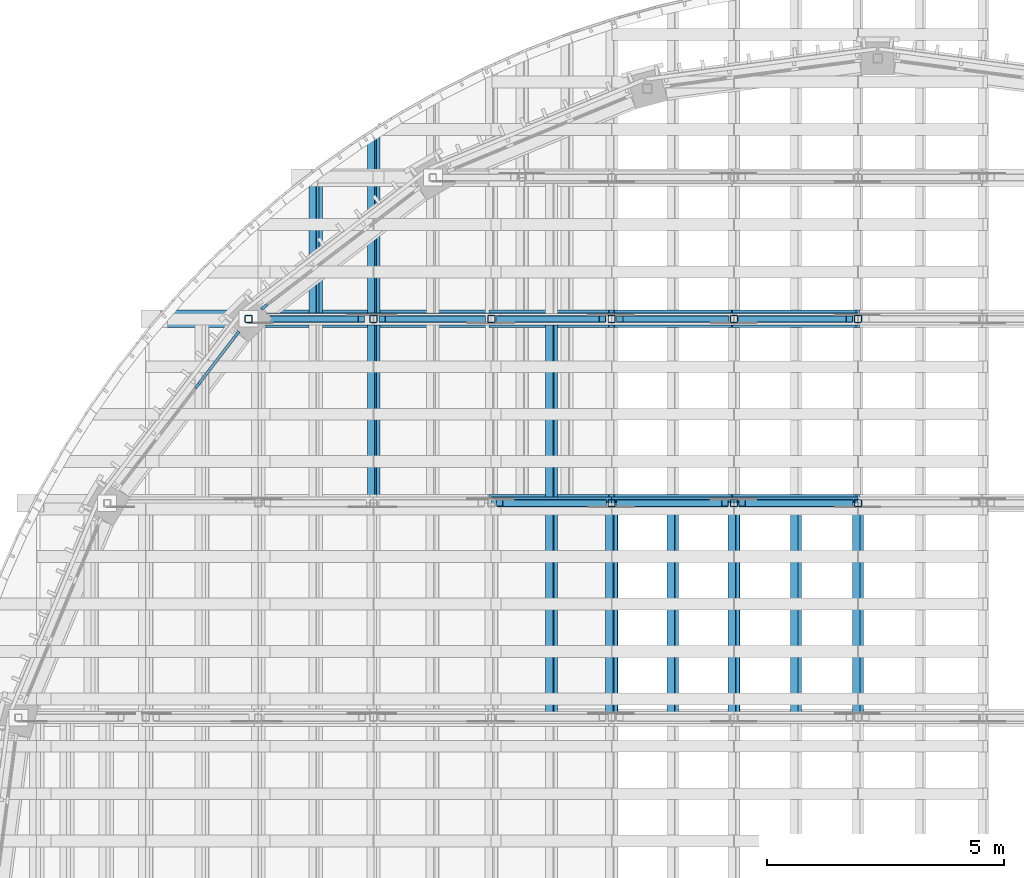
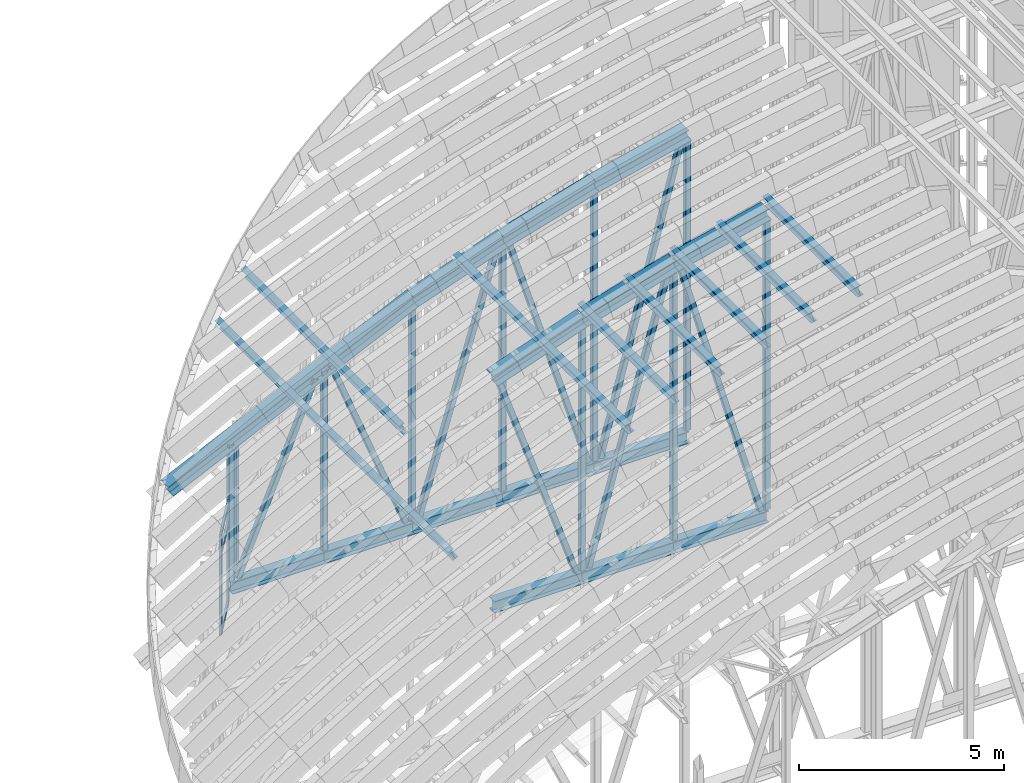
# One storey, part 22 of 105: 47 members, 2 elements without a shape of their own.
"""IFC4 building model written with IfcOpenShell, lengths in metres."""

from ifc_helpers import new_model, si_unit, direction, frame, origin, origin_2d, place, context, subcontext, project, spatial, rectangle, hollow_rectangle, i_section, extrude, material, layer, layer_set, material_profile, profile_set, type_object, element, aggregate, save


model = new_model("IFC4")

# Units and contexts
model_context = context("Model", 3, precision=1e-05, world=origin(), true_north=direction((0.0, 1.0)))
body_context = subcontext(model_context, "Body", "Model", "MODEL_VIEW")
ifc_project = project(units=[si_unit("LENGTHUNIT", "METRE"), si_unit("AREAUNIT", "SQUARE_METRE"), si_unit("VOLUMEUNIT", "CUBIC_METRE"), si_unit("PLANEANGLEUNIT", "RADIAN"), si_unit("MASSUNIT", "GRAM", prefix="KILO")], contexts=[model_context])

# Site, building, storey
site_placement = place(None, origin())
site = spatial("IfcSite", under=ifc_project, at=site_placement, CompositionType="ELEMENT")
building_placement = place(site_placement, origin())
building = spatial("IfcBuilding", under=site, at=building_placement, Name="Wasatch Bagh Community Centre", CompositionType="ELEMENT")
storey_placement = place(building_placement, frame((0.0, 0.0, 16.800048828125)))
storey = spatial("IfcBuildingStorey", under=building, at=storey_placement, Name="L04", CompositionType="ELEMENT", Elevation=16.800048828125)

# Members
ifc_material_1 = material(Name="ASTM A500 Grade C steel", Category="steel")
ifc_material_profile_1 = material_profile(ifc_material_1, hollow_rectangle(XDim=0.15234375, YDim=0.15234375, WallThickness=0.0087890625, InnerFilletRadius=0.0087890625, OuterFilletRadius=0.017822265625, at=origin_2d()), Name="HSS6x6x3/8")
ifc_profile_set_1 = profile_set([ifc_material_profile_1], Name="ASTM A500 Grade C steel")
member_type_1 = type_object("IfcMemberType", Name="HSS6x6x3/8 brace", PredefinedType="BRACE", material=ifc_profile_set_1)
member_1_placement = place(storey_placement, frame((30.208984375, 74.375, 8.095458984375), z_axis=(-0.320543512127, 0.0, 0.947233792067), x_axis=(0.0, -1.0, 0.0)))
element("IfcMember", 1, at=member_1_placement, inside=storey, type_object=member_type_1, Name="MH.TN2.WB04", PredefinedType="BRACE", context=body_context, shape_type="SweptSolid", body=[
    extrude(hollow_rectangle(XDim=0.15234375, YDim=0.15234375, WallThickness=0.0087890625, InnerFilletRadius=0.0087890625, OuterFilletRadius=0.017822265625, at=origin_2d()), origin(), (0.0, 0.0, 1.0), 6.783203125),
])
member_2_placement = place(storey_placement, frame((30.5673828125, 74.375, 8.091552734375), z_axis=(0.269835842543, 0.0, 0.962906339204), x_axis=(0.0, 1.0, 0.0)))
element("IfcMember", 2, at=member_2_placement, inside=storey, type_object=member_type_1, Name="MH.TN2.WB05", PredefinedType="BRACE", context=body_context, shape_type="SweptSolid", body=[
    extrude(hollow_rectangle(XDim=0.15234375, YDim=0.15234375, WallThickness=0.0087890625, InnerFilletRadius=0.0087890625, OuterFilletRadius=0.017822265625, at=origin_2d()), origin(), (0.0, 0.0, 1.0), 8.223388671875),
])
member_3_placement = place(storey_placement, frame((35.412353515625, 74.375, 8.091796875), z_axis=(-0.271729705992, 0.0, 0.962373610861), x_axis=(0.0, -1.0, 0.0)))
element("IfcMember", 3, at=member_3_placement, inside=storey, type_object=member_type_1, Name="MH.TN2.WB06", PredefinedType="BRACE", context=body_context, shape_type="SweptSolid", body=[
    extrude(hollow_rectangle(XDim=0.15234375, YDim=0.15234375, WallThickness=0.0087890625, InnerFilletRadius=0.0087890625, OuterFilletRadius=0.017822265625, at=origin_2d()), origin(), (0.0, 0.0, 1.0), 8.368408203125),
])
member_4_placement = place(storey_placement, frame((22.947998046875, 78.25830078125, 8.1005859375), z_axis=(0.388355748459, 0.0, 0.921509529326), x_axis=(0.0, 1.0, 0.0)))
element("IfcMember", 4, at=member_4_placement, inside=storey, type_object=member_type_1, Name="MH.TN3.WB01", PredefinedType="BRACE", context=body_context, shape_type="SweptSolid", body=[
    extrude(hollow_rectangle(XDim=0.15234375, YDim=0.15234375, WallThickness=0.0087890625, InnerFilletRadius=0.0087890625, OuterFilletRadius=0.017822265625, at=origin_2d()), origin(), (0.0, 0.0, 1.0), 5.58935546875),
])
member_5_placement = place(storey_placement, frame((27.66162109375, 78.25830078125, 8.0986328125), z_axis=(-0.362328609595, 0.0, 0.932050416377), x_axis=(0.0, -1.0, 0.0)))
element("IfcMember", 5, at=member_5_placement, inside=storey, type_object=member_type_1, Name="MH.TN3.WB02", PredefinedType="BRACE", context=body_context, shape_type="SweptSolid", body=[
    extrude(hollow_rectangle(XDim=0.15234375, YDim=0.15234375, WallThickness=0.0087890625, InnerFilletRadius=0.0087890625, OuterFilletRadius=0.017822265625, at=origin_2d()), origin(), (0.0, 0.0, 1.0), 5.808349609375),
])
member_6_placement = place(storey_placement, frame((28.037353515625, 78.25830078125, 8.093017578125), z_axis=(0.289719392706, 0.0, 0.957111630632), x_axis=(0.0, 1.0, 0.0)))
element("IfcMember", 6, at=member_6_placement, inside=storey, type_object=member_type_1, Name="MH.TN3.WB03", PredefinedType="BRACE", context=body_context, shape_type="SweptSolid", body=[
    extrude(hollow_rectangle(XDim=0.15234375, YDim=0.15234375, WallThickness=0.0087890625, InnerFilletRadius=0.0087890625, OuterFilletRadius=0.017822265625, at=origin_2d()), origin(), (0.0, 0.0, 1.0), 7.45849609375),
])
member_7_placement = place(storey_placement, frame((32.79443359375, 78.25830078125, 8.09326171875), z_axis=(-0.291927052679, 0.0, 0.956440586714), x_axis=(0.0, -1.0, 0.0)))
element("IfcMember", 7, at=member_7_placement, inside=storey, type_object=member_type_1, Name="MH.TN3.WB04", PredefinedType="BRACE", context=body_context, shape_type="SweptSolid", body=[
    extrude(hollow_rectangle(XDim=0.15234375, YDim=0.15234375, WallThickness=0.0087890625, InnerFilletRadius=0.0087890625, OuterFilletRadius=0.017822265625, at=origin_2d()), origin(), (0.0, 0.0, 1.0), 7.6396484375),
])
member_8_placement = place(storey_placement, frame((33.14111328125, 78.25830078125, 8.090576171875), z_axis=(0.255877402939, 0.0, 0.966709239981), x_axis=(0.0, 1.0, 0.0)))
element("IfcMember", 8, at=member_8_placement, inside=storey, type_object=member_type_1, Name="MH.TN3.WB05", PredefinedType="BRACE", context=body_context, shape_type="SweptSolid", body=[
    extrude(hollow_rectangle(XDim=0.15234375, YDim=0.15234375, WallThickness=0.0087890625, InnerFilletRadius=0.0087890625, OuterFilletRadius=0.017822265625, at=origin_2d()), origin(), (0.0, 0.0, 1.0), 8.854248046875),
])
ifc_material_profile_2 = material_profile(ifc_material_1, hollow_rectangle(XDim=0.15234375, YDim=0.15234375, WallThickness=0.0087890625, InnerFilletRadius=0.0087890625, OuterFilletRadius=0.017822265625, at=origin_2d()), Name="HSS6x6x3/8")
ifc_profile_set_2 = profile_set([ifc_material_profile_2], Name="ASTM A500 Grade C steel")
member_type_2 = type_object("IfcMemberType", Name="HSS6x6x3/8 post", PredefinedType="POST", material=ifc_profile_set_2)
member_9_placement = place(storey_placement, frame((30.39501953125, 74.375, 8.070556640625), z_axis=(0.0, 0.0, 1.0), x_axis=(1.0, 0.0, 0.0)))
element("IfcMember", 9, at=member_9_placement, inside=storey, type_object=member_type_2, Name="MH.TN2.PS05", PredefinedType="POST", context=body_context, shape_type="SweptSolid", body=[
    extrude(hollow_rectangle(XDim=0.15234375, YDim=0.15234375, WallThickness=0.0087890625, InnerFilletRadius=0.0087890625, OuterFilletRadius=0.017822265625, at=origin_2d()), origin(), (0.0, 0.0, 1.0), 7.2509765625),
])
member_10_placement = place(storey_placement, frame((32.972412109375, 74.375, 8.070556640625), z_axis=(0.0, 0.0, 1.0), x_axis=(1.0, 0.0, 0.0)))
element("IfcMember", 10, at=member_10_placement, inside=storey, type_object=member_type_2, Name="MH.TN2.PS06", PredefinedType="POST", context=body_context, shape_type="SweptSolid", body=[
    extrude(hollow_rectangle(XDim=0.15234375, YDim=0.15234375, WallThickness=0.0087890625, InnerFilletRadius=0.0087890625, OuterFilletRadius=0.017822265625, at=origin_2d()), origin(), (0.0, 0.0, 1.0), 8.013671875),
])
member_11_placement = place(storey_placement, frame((35.585205078125, 74.375, 8.070556640625), z_axis=(0.0, 0.0, 1.0), x_axis=(1.0, 0.0, 0.0)))
element("IfcMember", 11, at=member_11_placement, inside=storey, type_object=member_type_2, Name="MH.TN2.PS07", PredefinedType="POST", context=body_context, shape_type="SweptSolid", body=[
    extrude(hollow_rectangle(XDim=0.15234375, YDim=0.15234375, WallThickness=0.0087890625, InnerFilletRadius=0.0087890625, OuterFilletRadius=0.017822265625, at=origin_2d()), origin(), (0.0, 0.0, 1.0), 8.64111328125),
])
member_12_placement = place(storey_placement, frame((22.74169921875, 78.25830078125, 8.070556640625), z_axis=(0.0, 0.0, 1.0), x_axis=(1.0, 0.0, 0.0)))
element("IfcMember", 12, at=member_12_placement, inside=storey, type_object=member_type_2, Name="MH.TN3.PS01", PredefinedType="POST", context=body_context, shape_type="SweptSolid", body=[
    extrude(hollow_rectangle(XDim=0.15234375, YDim=0.15234375, WallThickness=0.0087890625, InnerFilletRadius=0.0087890625, OuterFilletRadius=0.017822265625, at=origin_2d()), origin(), (0.0, 0.0, 1.0), 4.0595703125),
])
member_13_placement = place(storey_placement, frame((25.373779296875, 78.25830078125, 8.070556640625), z_axis=(0.0, 0.0, 1.0), x_axis=(1.0, 0.0, 0.0)))
element("IfcMember", 13, at=member_13_placement, inside=storey, type_object=member_type_2, Name="MH.TN3.PS02", PredefinedType="POST", context=body_context, shape_type="SweptSolid", body=[
    extrude(hollow_rectangle(XDim=0.15234375, YDim=0.15234375, WallThickness=0.0087890625, InnerFilletRadius=0.0087890625, OuterFilletRadius=0.017822265625, at=origin_2d()), origin(), (0.0, 0.0, 1.0), 5.32763671875),
])
member_14_placement = place(storey_placement, frame((27.85986328125, 78.25830078125, 8.070556640625), z_axis=(0.0, 0.0, 1.0), x_axis=(1.0, 0.0, 0.0)))
element("IfcMember", 14, at=member_14_placement, inside=storey, type_object=member_type_2, Name="MH.TN3.PS03", PredefinedType="POST", context=body_context, shape_type="SweptSolid", body=[
    extrude(hollow_rectangle(XDim=0.15234375, YDim=0.15234375, WallThickness=0.0087890625, InnerFilletRadius=0.0087890625, OuterFilletRadius=0.017822265625, at=origin_2d()), origin(), (0.0, 0.0, 1.0), 6.35498046875),
])
member_15_placement = place(storey_placement, frame((30.39501953125, 78.25830078125, 8.070556640625), z_axis=(0.0, 0.0, 1.0), x_axis=(1.0, 0.0, 0.0)))
element("IfcMember", 15, at=member_15_placement, inside=storey, type_object=member_type_2, Name="MH.TN3.PS04", PredefinedType="POST", context=body_context, shape_type="SweptSolid", body=[
    extrude(hollow_rectangle(XDim=0.15234375, YDim=0.15234375, WallThickness=0.0087890625, InnerFilletRadius=0.0087890625, OuterFilletRadius=0.017822265625, at=origin_2d()), origin(), (0.0, 0.0, 1.0), 7.2509765625),
])
member_16_placement = place(storey_placement, frame((32.972412109375, 78.25830078125, 8.070556640625), z_axis=(0.0, 0.0, 1.0), x_axis=(1.0, 0.0, 0.0)))
element("IfcMember", 16, at=member_16_placement, inside=storey, type_object=member_type_2, Name="MH.TN3.PS05", PredefinedType="POST", context=body_context, shape_type="SweptSolid", body=[
    extrude(hollow_rectangle(XDim=0.15234375, YDim=0.15234375, WallThickness=0.0087890625, InnerFilletRadius=0.0087890625, OuterFilletRadius=0.017822265625, at=origin_2d()), origin(), (0.0, 0.0, 1.0), 8.013671875),
])
member_17_placement = place(storey_placement, frame((35.585205078125, 78.25830078125, 8.070556640625), z_axis=(0.0, 0.0, 1.0), x_axis=(1.0, 0.0, 0.0)))
element("IfcMember", 17, at=member_17_placement, inside=storey, type_object=member_type_2, Name="MH.TN3.PS06", PredefinedType="POST", context=body_context, shape_type="SweptSolid", body=[
    extrude(hollow_rectangle(XDim=0.15234375, YDim=0.15234375, WallThickness=0.0087890625, InnerFilletRadius=0.0087890625, OuterFilletRadius=0.017822265625, at=origin_2d()), origin(), (0.0, 0.0, 1.0), 8.64111328125),
])

# Curtain wall, member
ifc_material_2 = material(Name="Aluminium curtain wall frame with low-iron glass", Category="aluminium")
ifc_layer_1 = layer(ifc_material_2, 0.10009765625)
ifc_layer_set_1 = layer_set([ifc_layer_1], Name="Aluminium curtain wall frame with low-iron glass")
curtain_wall_type_1 = type_object("IfcCurtainWallType", Name="MH end screen curtain wall 4", PredefinedType="NOTDEFINED", material=ifc_layer_set_1)
curtain_wall_1_placement = place(storey_placement, origin())
curtain_wall_1 = element("IfcCurtainWall", 18, at=curtain_wall_1_placement, inside=storey, type_object=curtain_wall_type_1, Name="End screen 27", PredefinedType="NOTDEFINED")
ifc_material_3 = material(Name="Aluminium extrusion", Category="aluminium")
ifc_material_profile_3 = material_profile(ifc_material_3, rectangle(XDim=0.06005859375, YDim=0.159912109375, at=origin_2d()), Name="AL 60x160")
ifc_profile_set_3 = profile_set([ifc_material_profile_3], Name="Aluminium extrusion")
member_type_3 = type_object("IfcMemberType", Name="MH end screen mullion 60x160", PredefinedType="MULLION", material=ifc_profile_set_3)
member_18_placement = place(storey_placement, frame((23.072021484375, 78.51171875, 7.699951171875), z_axis=(0.0, 0.0, 1.0), x_axis=(0.608761429036, -0.79335334027, 0.0)))
member_18 = element("IfcMember", 19, at=member_18_placement, type_object=member_type_3, Name="MH-CW4 mullion 4", PredefinedType="MULLION", context=body_context, shape_type="SweptSolid", body=[
    extrude(rectangle(XDim=0.06005859375, YDim=0.159912109375, at=origin_2d()), origin(), (0.0, 0.0, 1.0), 4.800048828125),
])
aggregate(curtain_wall_1, [member_18])

# Curtain wall, members
ifc_layer_2 = layer(ifc_material_2, 0.10009765625)
ifc_layer_set_2 = layer_set([ifc_layer_2], Name="Aluminium curtain wall frame with low-iron glass")
curtain_wall_type_2 = type_object("IfcCurtainWallType", Name="MH end screen curtain wall 3", PredefinedType="NOTDEFINED", material=ifc_layer_set_2)
curtain_wall_2_placement = place(storey_placement, origin())
curtain_wall_2 = element("IfcCurtainWall", 20, at=curtain_wall_2_placement, inside=storey, type_object=curtain_wall_type_2, Name="End screen 28", PredefinedType="NOTDEFINED")
member_19_placement = place(storey_placement, frame((22.48828125, 77.927978515625, 7.699951171875), z_axis=(0.0, 0.0, 1.0), x_axis=(0.79335334027, -0.608761429036, 0.0)))
member_19 = element("IfcMember", 21, at=member_19_placement, type_object=member_type_3, Name="MH-CW3 mullion 1", PredefinedType="MULLION", context=body_context, shape_type="SweptSolid", body=[
    extrude(rectangle(XDim=0.06005859375, YDim=0.159912109375, at=origin_2d()), origin(), (0.0, 0.0, 1.0), 3.0),
])
member_20_placement = place(storey_placement, frame((21.670166015625, 76.861572265625, 7.699951171875), z_axis=(0.0, 0.0, 1.0), x_axis=(0.79335334027, -0.608761429036, 0.0)))
member_20 = element("IfcMember", 22, at=member_20_placement, type_object=member_type_3, Name="MH-CW3 mullion 2", PredefinedType="MULLION", context=body_context, shape_type="SweptSolid", body=[
    extrude(rectangle(XDim=0.06005859375, YDim=0.159912109375, at=origin_2d()), origin(), (0.0, 0.0, 1.0), 3.0),
])
ifc_material_profile_4 = material_profile(ifc_material_3, rectangle(XDim=0.06005859375, YDim=0.1201171875, at=origin_2d()), Name="AL 60x120")
ifc_profile_set_4 = profile_set([ifc_material_profile_4], Name="Aluminium extrusion")
member_type_4 = type_object("IfcMemberType", Name="MH end screen transom 60x120", PredefinedType="USERDEFINED", material=ifc_profile_set_4)
member_21_placement = place(storey_placement, frame((22.469970703125, 77.904052734375, 7.72998046875), z_axis=(-0.608846614125, -0.793287968186, 0.0), x_axis=(0.793287968186, -0.608846614125, 0.0)))
member_21 = element("IfcMember", 23, at=member_21_placement, type_object=member_type_4, Name="MH-CW3 transom 1.1", ObjectType="TRANSOM", PredefinedType="USERDEFINED", context=body_context, shape_type="SweptSolid", body=[
    extrude(rectangle(XDim=0.06005859375, YDim=0.1201171875, at=origin_2d()), origin(), (0.0, 0.0, 1.0), 1.283935546875),
])
member_22_placement = place(storey_placement, frame((22.469970703125, 77.904052734375, 10.099853515625), z_axis=(-0.608846614125, -0.793287968186, 0.0), x_axis=(0.793287968186, -0.608846614125, 0.0)))
member_22 = element("IfcMember", 24, at=member_22_placement, type_object=member_type_4, Name="MH-CW3 transom 1.2", ObjectType="TRANSOM", PredefinedType="USERDEFINED", context=body_context, shape_type="SweptSolid", body=[
    extrude(rectangle(XDim=0.06005859375, YDim=0.1201171875, at=origin_2d()), origin(), (0.0, 0.0, 1.0), 1.283935546875),
])
member_23_placement = place(storey_placement, frame((22.469970703125, 77.904052734375, 10.669921875), z_axis=(-0.608846614125, -0.793287968186, 0.0), x_axis=(0.793287968186, -0.608846614125, 0.0)))
member_23 = element("IfcMember", 25, at=member_23_placement, type_object=member_type_4, Name="MH-CW3 transom 1.3", ObjectType="TRANSOM", PredefinedType="USERDEFINED", context=body_context, shape_type="SweptSolid", body=[
    extrude(rectangle(XDim=0.06005859375, YDim=0.1201171875, at=origin_2d()), origin(), (0.0, 0.0, 1.0), 1.283935546875),
])
aggregate(curtain_wall_2, [member_19, member_20, member_21, member_22, member_23])

# Members
ifc_material_4 = material(Name="ASTM A992 Grade 50 steel", Category="steel")
ifc_material_profile_5 = material_profile(ifc_material_4, i_section(OverallWidth=0.164794921875, OverallDepth=0.309814453125, WebThickness=0.005859375, FlangeThickness=0.009765625, at=origin_2d()), Name="W12x26")
ifc_profile_set_5 = profile_set([ifc_material_profile_5], Name="ASTM A992 Grade 50 steel")
member_type_5 = type_object("IfcMemberType", Name="W12x26 purlin", PredefinedType="PURLIN", material=ifc_profile_set_5)
for number, where, z_axis, x_axis, name in (
    (26, (29.12744140625, 69.852783203125, 15.44580078125), (0.0, 1.0, 0.0), (-0.944194315577, 0.0, -0.329388971326), "MH.TN1-TN2.PU09"),
    (27, (30.39501953125, 69.852783203125, 15.887939453125), (0.0, 1.0, 0.0), (-0.944194315577, 0.0, -0.329388971326), "MH.TN1-TN2.PU10"),
    (28, (31.683837890625, 69.852783203125, 16.261474609375), (0.0, 1.0, 0.0), (-0.959937587317, 0.0, -0.280213897686), "MH.TN1-TN2.PU11"),
    (29, (32.972412109375, 69.852783203125, 16.6376953125), (0.0, 1.0, 0.0), (-0.959937587317, 0.0, -0.280213897686), "MH.TN1-TN2.PU12"),
    (30, (34.27880859375, 69.852783203125, 16.944580078125), (0.0, 1.0, 0.0), (-0.973121628566, 0.0, -0.23029176281), "MH.TN1-TN2.PU13"),
    (31, (35.585205078125, 69.852783203125, 17.25390625), (0.0, 1.0, 0.0), (-0.973121628566, 0.0, -0.23029176281), "MH.TN1-TN2.PU14"),
):
    element("IfcMember", number, at=place(storey_placement, frame(where, z_axis=z_axis, x_axis=x_axis)), inside=storey, type_object=member_type_5, Name=name, PredefinedType="PURLIN", context=body_context, shape_type="SweptSolid", body=[
        extrude(i_section(OverallWidth=0.164794921875, OverallDepth=0.309814453125, WebThickness=0.005859375, FlangeThickness=0.009765625, at=origin_2d()), origin(), (0.0, 0.0, 1.0), 4.522216796875),
    ])
member_24_placement = place(storey_placement, frame((29.12744140625, 74.375, 15.44580078125), z_axis=(0.0, 1.0, 0.0), x_axis=(-0.944194315577, 0.0, -0.329388971326)))
element("IfcMember", 32, at=member_24_placement, inside=storey, type_object=member_type_5, Name="MH.TN2-TN3.PU07", PredefinedType="PURLIN", context=body_context, shape_type="SweptSolid", body=[
    extrude(i_section(OverallWidth=0.164794921875, OverallDepth=0.309814453125, WebThickness=0.005859375, FlangeThickness=0.009765625, at=origin_2d()), origin(), (0.0, 0.0, 1.0), 3.88330078125),
])
member_25_placement = place(storey_placement, frame((24.15869140625, 69.852783203125, 13.4248046875), z_axis=(0.0, 1.0, 0.0), x_axis=(-0.905204669284, 0.0, -0.424975889559)))
element("IfcMember", 33, at=member_25_placement, inside=storey, type_object=member_type_5, Name="MH.TN3-TN4.PU01", PredefinedType="PURLIN", context=body_context, shape_type="SweptSolid", body=[
    extrude(i_section(OverallWidth=0.164794921875, OverallDepth=0.309814453125, WebThickness=0.005859375, FlangeThickness=0.009765625, at=origin_2d()), origin(), (0.0, 0.0, 1.0), 11.38525390625),
])
ifc_material_profile_6 = material_profile(ifc_material_4, i_section(OverallWidth=0.164794921875, OverallDepth=0.309814453125, WebThickness=0.005859375, FlangeThickness=0.009765625, at=origin_2d()), Name="W12x26")
ifc_profile_set_6 = profile_set([ifc_material_profile_6], Name="ASTM A992 Grade 50 steel")
member_type_6 = type_object("IfcMemberType", Name="W12x26 rafter", PredefinedType="RAFTER", material=ifc_profile_set_6)
member_26_placement = place(storey_placement, frame((25.379638671875, 82.107666015625, 13.994384765625), z_axis=(0.0, -1.0, 0.0), x_axis=(0.925933778961, 0.0, 0.377685897247)))
element("IfcMember", 34, at=member_26_placement, inside=storey, type_object=member_type_6, Name="MH.TN.RF01", PredefinedType="RAFTER", context=body_context, shape_type="SweptSolid", body=[
    extrude(i_section(OverallWidth=0.164794921875, OverallDepth=0.309814453125, WebThickness=0.005859375, FlangeThickness=0.009765625, at=origin_2d()), origin(), (0.0, 0.0, 1.0), 7.732666015625),
])
ifc_material_profile_7 = material_profile(ifc_material_4, i_section(OverallWidth=0.25390625, OverallDepth=0.355712890625, WebThickness=0.010498046875, FlangeThickness=0.018310546875, at=origin_2d()), Name="W14x68")
ifc_profile_set_7 = profile_set([ifc_material_profile_7], Name="ASTM A992 Grade 50 steel")
member_type_7 = type_object("IfcMemberType", Name="W14x68 chord", PredefinedType="CHORD", material=ifc_profile_set_7)
member_27_placement = place(storey_placement, frame((27.85986328125, 74.375, 7.892822265625), z_axis=(1.0, 0.0, 0.0), x_axis=(0.0, 1.0, 0.0)))
element("IfcMember", 35, at=member_27_placement, inside=storey, type_object=member_type_7, Name="MH.TN2.BC04", PredefinedType="CHORD", context=body_context, shape_type="SweptSolid", body=[
    extrude(i_section(OverallWidth=0.25390625, OverallDepth=0.355712890625, WebThickness=0.010498046875, FlangeThickness=0.018310546875, at=origin_2d()), origin(), (0.0, 0.0, 1.0), 2.53515625),
])
member_28_placement = place(storey_placement, frame((30.39501953125, 74.375, 7.892822265625), z_axis=(1.0, 0.0, 0.0), x_axis=(0.0, 1.0, 0.0)))
element("IfcMember", 36, at=member_28_placement, inside=storey, type_object=member_type_7, Name="MH.TN2.BC05", PredefinedType="CHORD", context=body_context, shape_type="SweptSolid", body=[
    extrude(i_section(OverallWidth=0.25390625, OverallDepth=0.355712890625, WebThickness=0.010498046875, FlangeThickness=0.018310546875, at=origin_2d()), origin(), (0.0, 0.0, 1.0), 2.577392578125),
])
member_29_placement = place(storey_placement, frame((32.972412109375, 74.375, 7.892822265625), z_axis=(1.0, 0.0, 0.0), x_axis=(0.0, 1.0, 0.0)))
element("IfcMember", 37, at=member_29_placement, inside=storey, type_object=member_type_7, Name="MH.TN2.BC06", PredefinedType="CHORD", context=body_context, shape_type="SweptSolid", body=[
    extrude(i_section(OverallWidth=0.25390625, OverallDepth=0.355712890625, WebThickness=0.010498046875, FlangeThickness=0.018310546875, at=origin_2d()), origin(), (0.0, 0.0, 1.0), 2.61279296875),
])
member_30_placement = place(storey_placement, frame((22.74169921875, 78.25830078125, 7.892822265625), z_axis=(1.0, 0.0, 0.0), x_axis=(0.0, 1.0, 0.0)))
element("IfcMember", 38, at=member_30_placement, inside=storey, type_object=member_type_7, Name="MH.TN3.BC01", PredefinedType="CHORD", context=body_context, shape_type="SweptSolid", body=[
    extrude(i_section(OverallWidth=0.25390625, OverallDepth=0.355712890625, WebThickness=0.010498046875, FlangeThickness=0.018310546875, at=origin_2d()), origin(), (0.0, 0.0, 1.0), 2.632080078125),
])
member_31_placement = place(storey_placement, frame((25.373779296875, 78.25830078125, 7.892822265625), z_axis=(1.0, 0.0, 0.0), x_axis=(0.0, 1.0, 0.0)))
element("IfcMember", 39, at=member_31_placement, inside=storey, type_object=member_type_7, Name="MH.TN3.BC02", PredefinedType="CHORD", context=body_context, shape_type="SweptSolid", body=[
    extrude(i_section(OverallWidth=0.25390625, OverallDepth=0.355712890625, WebThickness=0.010498046875, FlangeThickness=0.018310546875, at=origin_2d()), origin(), (0.0, 0.0, 1.0), 2.486083984375),
])
member_32_placement = place(storey_placement, frame((27.85986328125, 78.25830078125, 7.892822265625), z_axis=(1.0, 0.0, 0.0), x_axis=(0.0, 1.0, 0.0)))
element("IfcMember", 40, at=member_32_placement, inside=storey, type_object=member_type_7, Name="MH.TN3.BC03", PredefinedType="CHORD", context=body_context, shape_type="SweptSolid", body=[
    extrude(i_section(OverallWidth=0.25390625, OverallDepth=0.355712890625, WebThickness=0.010498046875, FlangeThickness=0.018310546875, at=origin_2d()), origin(), (0.0, 0.0, 1.0), 2.53515625),
])
member_33_placement = place(storey_placement, frame((30.39501953125, 78.25830078125, 7.892822265625), z_axis=(1.0, 0.0, 0.0), x_axis=(0.0, 1.0, 0.0)))
element("IfcMember", 41, at=member_33_placement, inside=storey, type_object=member_type_7, Name="MH.TN3.BC04", PredefinedType="CHORD", context=body_context, shape_type="SweptSolid", body=[
    extrude(i_section(OverallWidth=0.25390625, OverallDepth=0.355712890625, WebThickness=0.010498046875, FlangeThickness=0.018310546875, at=origin_2d()), origin(), (0.0, 0.0, 1.0), 2.577392578125),
])
member_34_placement = place(storey_placement, frame((32.972412109375, 78.25830078125, 7.892822265625), z_axis=(1.0, 0.0, 0.0), x_axis=(0.0, 1.0, 0.0)))
element("IfcMember", 42, at=member_34_placement, inside=storey, type_object=member_type_7, Name="MH.TN3.BC05", PredefinedType="CHORD", context=body_context, shape_type="SweptSolid", body=[
    extrude(i_section(OverallWidth=0.25390625, OverallDepth=0.355712890625, WebThickness=0.010498046875, FlangeThickness=0.018310546875, at=origin_2d()), origin(), (0.0, 0.0, 1.0), 2.61279296875),
])
ifc_material_profile_8 = material_profile(ifc_material_4, i_section(OverallWidth=0.368408203125, OverallDepth=0.355712890625, WebThickness=0.01123046875, FlangeThickness=0.01806640625, at=origin_2d()), Name="W14x90")
ifc_profile_set_8 = profile_set([ifc_material_profile_8], Name="ASTM A992 Grade 50 steel")
member_type_8 = type_object("IfcMemberType", Name="W14x90 chord", PredefinedType="CHORD", material=ifc_profile_set_8)
member_35_placement = place(storey_placement, frame((27.86474609375, 74.375, 14.651123046875), z_axis=(0.943812827742, 0.0, 0.330480477773), x_axis=(0.0, 1.0, 0.0)))
element("IfcMember", 43, at=member_35_placement, inside=storey, type_object=member_type_8, Name="MH.TN2.TC06", PredefinedType="CHORD", context=body_context, shape_type="SweptSolid", body=[
    extrude(i_section(OverallWidth=0.368408203125, OverallDepth=0.355712890625, WebThickness=0.01123046875, FlangeThickness=0.01806640625, at=origin_2d()), origin(), (0.0, 0.0, 1.0), 2.67578125),
])
for number, where, z_axis, x_axis, name in (
    (44, (30.39990234375, 74.375, 15.53857421875), (0.959642555684, 0.0, 0.281222625903), (0.0, 1.0, 0.0), "MH.TN2.TC07"),
    (45, (32.977294921875, 74.375, 16.29345703125), (0.972941166496, 0.0, 0.231052995082), (0.0, 1.0, 0.0), "MH.TN2.TC08"),
):
    element("IfcMember", number, at=place(storey_placement, frame(where, z_axis=z_axis, x_axis=x_axis)), inside=storey, type_object=member_type_8, Name=name, PredefinedType="CHORD", context=body_context, shape_type="SweptSolid", body=[
        extrude(i_section(OverallWidth=0.368408203125, OverallDepth=0.355712890625, WebThickness=0.01123046875, FlangeThickness=0.01806640625, at=origin_2d()), origin(), (0.0, 0.0, 1.0), 2.675537109375),
    ])
member_36_placement = place(storey_placement, frame((20.961669921875, 78.25830078125, 11.42431640625), z_axis=(0.905873081078, 0.0, 0.423549242683), x_axis=(0.0, 1.0, 0.0)))
element("IfcMember", 46, at=member_36_placement, inside=storey, type_object=member_type_8, Name="MH.TN3.TC01", PredefinedType="CHORD", context=body_context, shape_type="SweptSolid", body=[
    extrude(i_section(OverallWidth=0.368408203125, OverallDepth=0.355712890625, WebThickness=0.01123046875, FlangeThickness=0.01806640625, at=origin_2d()), origin(), (0.0, 0.0, 1.0), 7.60986328125),
])
member_37_placement = place(storey_placement, frame((27.86474609375, 78.25830078125, 14.651123046875), z_axis=(0.943812827742, 0.0, 0.330480477773), x_axis=(0.0, 1.0, 0.0)))
element("IfcMember", 47, at=member_37_placement, inside=storey, type_object=member_type_8, Name="MH.TN3.TC05", PredefinedType="CHORD", context=body_context, shape_type="SweptSolid", body=[
    extrude(i_section(OverallWidth=0.368408203125, OverallDepth=0.355712890625, WebThickness=0.01123046875, FlangeThickness=0.01806640625, at=origin_2d()), origin(), (0.0, 0.0, 1.0), 2.67578125),
])
for number, where, z_axis, x_axis, name in (
    (48, (30.39990234375, 78.25830078125, 15.53857421875), (0.959642555684, 0.0, 0.281222625903), (0.0, 1.0, 0.0), "MH.TN3.TC06"),
    (49, (32.977294921875, 78.25830078125, 16.29345703125), (0.972941166496, 0.0, 0.231052995082), (0.0, 1.0, 0.0), "MH.TN3.TC07"),
):
    element("IfcMember", number, at=place(storey_placement, frame(where, z_axis=z_axis, x_axis=x_axis)), inside=storey, type_object=member_type_8, Name=name, PredefinedType="CHORD", context=body_context, shape_type="SweptSolid", body=[
        extrude(i_section(OverallWidth=0.368408203125, OverallDepth=0.355712890625, WebThickness=0.01123046875, FlangeThickness=0.01806640625, at=origin_2d()), origin(), (0.0, 0.0, 1.0), 2.675537109375),
    ])

save(model, "model.ifc")
